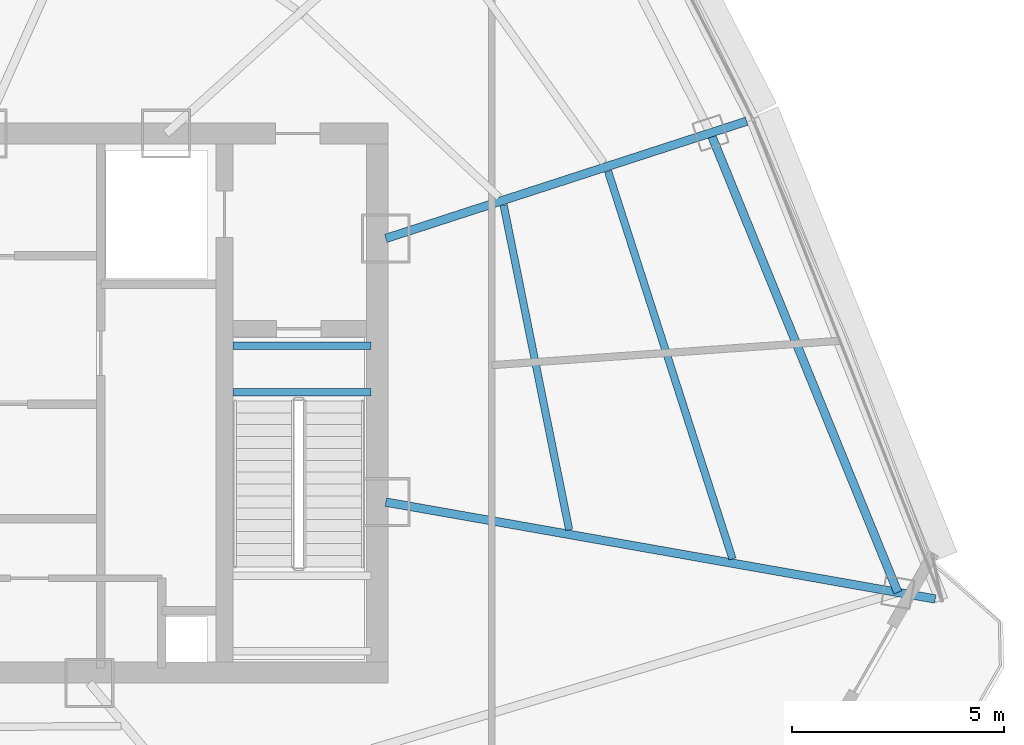
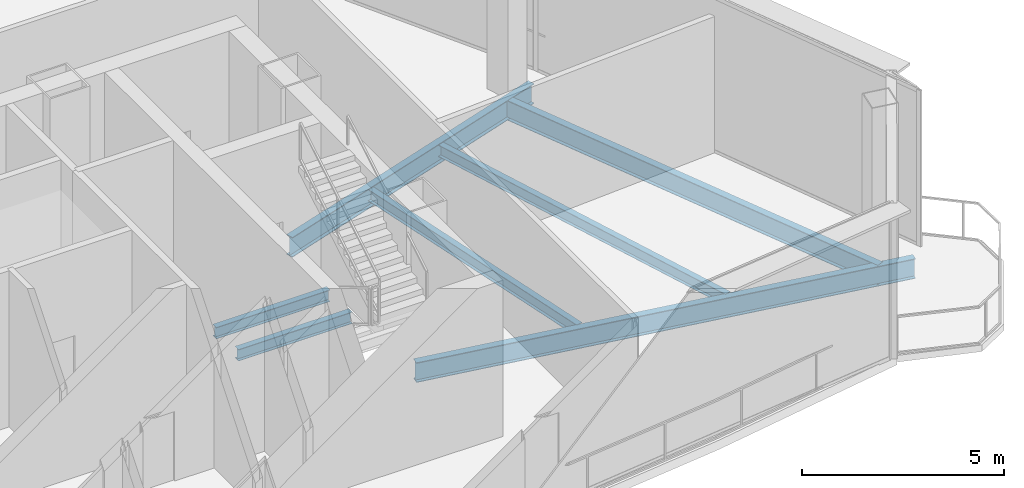
# One storey, part 13 of 29: 7 beams.
"""IFC4 building model written with IfcOpenShell, lengths in metres."""

import ifcopenshell
import ifcopenshell.guid

model = None  # the IFC model being written
_history = None  # IfcOwnerHistory: only IFC2X3 demands one
_inside = {}  # id of a spatial element -> (the spatial element, [elements in it])
_under = {}  # id of a project, library or spatial element -> (it, [spatial elements below it])
_declared = {}  # id of a project -> (the project, [libraries it declares])
_typed = {}  # id of a type object -> (the type object, [elements of that type])
_made_of = {}  # id of a material, layer set ... -> (it, [elements and type objects made of it])


def new_model(schema):
    """Start an empty IFC model of exactly this schema.

    Asked for "IFC4X3", IfcOpenShell would pick the latest addendum, in which some entities
    have other attributes; the version numbers below select the first issue.
    IFC2X3 requires an IfcOwnerHistory on every rooted entity: one is made here for all.
    """
    global model, _history
    if schema == "IFC4X3":
        model = ifcopenshell.file(schema_version=(4, 3, 0, 0))
    else:
        model = ifcopenshell.file(schema=schema)
    _inside.clear()
    _under.clear()
    _declared.clear()
    _typed.clear()
    _made_of.clear()
    _history = None
    if model.schema == "IFC2X3":
        org = make("IfcOrganization", Name="unknown")
        user = make(
            "IfcPersonAndOrganization",
            ThePerson=make("IfcPerson", FamilyName="unknown"),
            TheOrganization=org,
        )
        app = make(
            "IfcApplication",
            ApplicationDeveloper=org,
            Version="unknown",
            ApplicationFullName="unknown",
            ApplicationIdentifier="unknown",
        )
        _history = make(
            "IfcOwnerHistory",
            OwningUser=user,
            OwningApplication=app,
            ChangeAction="ADDED",
            CreationDate=0,
        )
    return model


def make(cls, **values):
    """One entity of the class cls with the attributes given. An attribute that is None is left unset."""
    return model.create_entity(
        cls, **{name: value for name, value in values.items() if value is not None}
    )


def rooted(cls, **values):
    """An entity with a GlobalId (a new one), such as an element, a storey or a relation."""
    return make(cls, GlobalId=ifcopenshell.guid.new(), OwnerHistory=_history, **values)


def si_unit(unit_type, name, prefix=None):
    """IfcSIUnit, for example si_unit("LENGTHUNIT", "METRE", prefix="MILLI")."""
    return make("IfcSIUnit", UnitType=unit_type, Prefix=prefix, Name=name)


def assignment(units):
    """IfcUnitAssignment: the units of a project."""
    return None if units is None else make("IfcUnitAssignment", Units=units)


def point(xyz):
    """IfcCartesianPoint."""
    return None if xyz is None else make("IfcCartesianPoint", Coordinates=xyz)


def direction(xyz):
    """IfcDirection."""
    return None if xyz is None else make("IfcDirection", DirectionRatios=xyz)


def frame(location, z_axis=None, x_axis=None):
    """IfcAxis2Placement3D, a coordinate frame: its origin and axes. An axis left out is left unset."""
    return make(
        "IfcAxis2Placement3D",
        Location=point(location),
        Axis=direction(z_axis),
        RefDirection=direction(x_axis),
    )


def frame_2d(location, x_axis=None):
    """IfcAxis2Placement2D, a coordinate frame in the plane: its origin and x axis."""
    return make(
        "IfcAxis2Placement2D", Location=point(location), RefDirection=direction(x_axis)
    )


def origin():
    """The frame at (0, 0, 0) with its axes left unset."""
    return frame((0.0, 0.0, 0.0))


def origin_2d():
    """The frame at (0, 0) in the plane with its x axis left unset."""
    return frame_2d((0.0, 0.0))


def place(relative_to, where):
    """IfcLocalPlacement: puts the frame where relative to a parent placement (None: the world)."""
    return make(
        "IfcLocalPlacement", PlacementRelTo=relative_to, RelativePlacement=where
    )


def context(
    kind, dimensions, precision=None, world=None, true_north=None, identifier=None
):
    """IfcGeometricRepresentationContext, for example the 3D "Model" context."""
    return make(
        "IfcGeometricRepresentationContext",
        ContextIdentifier=identifier,
        ContextType=kind,
        CoordinateSpaceDimension=dimensions,
        Precision=precision,
        WorldCoordinateSystem=world,
        TrueNorth=true_north,
    )


def subcontext(parent, identifier, kind, view, scale=None):
    """IfcGeometricRepresentationSubContext, for example "Body" below "Model"."""
    return make(
        "IfcGeometricRepresentationSubContext",
        ContextIdentifier=identifier,
        ContextType=kind,
        ParentContext=parent,
        TargetScale=scale,
        TargetView=view,
    )


def project(units=None, contexts=None):
    """IfcProject with its units and contexts."""
    return rooted(
        "IfcProject",
        Name="project",
        RepresentationContexts=contexts,
        UnitsInContext=assignment(units),
    )


def spatial(cls, under=None, at=None, **own):
    """A site, building, storey or space (cls), placed at a placement, below another one or the project."""
    s = rooted(cls, ObjectPlacement=at, **own)
    if under is not None:
        _under.setdefault(under.id(), (under, []))[1].append(s)
    return s


def profile(cls, at=None, kind="AREA", **sizes):
    """A parametric profile (cls). Its sizes go by their IFC names, for example OverallWidth=200.0."""
    return make(cls, ProfileType=kind, Position=at, **sizes)


def i_section(**sizes):
    """IfcIShapeProfileDef."""
    return profile("IfcIShapeProfileDef", **sizes)


def extrude(swept, where, along, depth):
    """IfcExtrudedAreaSolid: the profile swept, set in the frame where, extruded along a direction by depth."""
    return make(
        "IfcExtrudedAreaSolid",
        SweptArea=swept,
        Position=where,
        ExtrudedDirection=direction(along),
        Depth=depth,
    )


def shape(context_of_items, identifier, shape_type, items):
    """IfcShapeRepresentation: the items that make up one representation, for example the "Body"."""
    return make(
        "IfcShapeRepresentation",
        ContextOfItems=context_of_items,
        RepresentationIdentifier=identifier,
        RepresentationType=shape_type,
        Items=items,
    )


def source(mapping_origin, context_of_items, identifier, shape_type, items):
    """IfcRepresentationMap: a shape defined once, which mapped items show again and again."""
    return make(
        "IfcRepresentationMap",
        MappingOrigin=mapping_origin,
        MappedRepresentation=shape(context_of_items, identifier, shape_type, items),
    )


def transform(
    local_origin,
    x_axis=None,
    y_axis=None,
    z_axis=None,
    scale=None,
    scale2=None,
    scale3=None,
    uniform=True,
):
    """IfcCartesianTransformationOperator3D, or its non-uniform kind. x_axis, y_axis, z_axis: its Axis1, 2, 3."""
    if uniform:
        return make(
            "IfcCartesianTransformationOperator3D",
            Axis1=direction(x_axis),
            Axis2=direction(y_axis),
            LocalOrigin=point(local_origin),
            Scale=scale,
            Axis3=direction(z_axis),
        )
    return make(
        "IfcCartesianTransformationOperator3DnonUniform",
        Axis1=direction(x_axis),
        Axis2=direction(y_axis),
        LocalOrigin=point(local_origin),
        Scale=scale,
        Axis3=direction(z_axis),
        Scale2=scale2,
        Scale3=scale3,
    )


def mapped(mapping_source, mapping_target):
    """IfcMappedItem: shows the shape of a source again, moved by a transform."""
    return make(
        "IfcMappedItem", MappingSource=mapping_source, MappingTarget=mapping_target
    )


def material(Name=None, Category=None):
    """IfcMaterial."""
    return make("IfcMaterial", Name=Name, Category=Category)


def material_profile(
    of_material, cross_section, Name=None, Category=None, Priority=None
):
    """IfcMaterialProfile: a cross section and its material."""
    return make(
        "IfcMaterialProfile",
        Name=Name,
        Material=of_material,
        Profile=cross_section,
        Priority=Priority,
        Category=Category,
    )


def profile_set(profiles, Name=None, composite=None):
    """IfcMaterialProfileSet."""
    return make(
        "IfcMaterialProfileSet",
        Name=Name,
        MaterialProfiles=profiles,
        CompositeProfile=composite,
    )


def made_of(thing, what):
    """Note that an element or type object is made of a material, layer set ...; save() writes the relation."""
    if what is not None:
        _made_of.setdefault(what.id(), (what, []))[1].append(thing)
    return thing


def type_object(cls, material=None, **own):
    """A type object (cls), such as IfcWallType, which elements share."""
    return made_of(rooted(cls, **own), material)


def element(
    cls,
    number,
    at=None,
    inside=None,
    cuts=None,
    type_object=None,
    material=None,
    context=None,
    identifier="Body",
    shape_type=None,
    held_by="IfcProductDefinitionShape",
    body=None,
    shapes=None,
    **own,
):
    """One element of the class cls, such as IfcWall. Its Tag is "e" and its number.

    at: its placement. inside: the storey or other place that contains it. cuts: it is an
    opening in that element (IfcRelVoidsElement). A single representation is given by context,
    identifier, shape_type and body (its items); several are given by shapes. held_by: the class
    of the entity that holds the representations. save() writes the other relations.
    """
    e = rooted(cls, Tag="e%d" % number, ObjectPlacement=at, **own)
    if body is not None:
        shapes = [shape(context, identifier, shape_type, body)]
    if shapes is not None:
        e.Representation = make(held_by, Representations=shapes)
    if inside is not None:
        _inside.setdefault(inside.id(), (inside, []))[1].append(e)
    if cuts is not None:
        rooted(
            "IfcRelVoidsElement", RelatingBuildingElement=cuts, RelatedOpeningElement=e
        )
    if type_object is not None:
        _typed.setdefault(type_object.id(), (type_object, []))[1].append(e)
    return made_of(e, material)


def aggregate(whole, parts):
    """IfcRelAggregates: a whole, such as a stair, and the parts it consists of."""
    return rooted("IfcRelAggregates", RelatingObject=whole, RelatedObjects=parts)


def save(model, path):
    """Write the relations noted so far, then the file.

    IfcRelAggregates (storeys below a building ...), IfcRelContainedInSpatialStructure (elements
    in a storey), IfcRelDefinesByType, IfcRelAssociatesMaterial and IfcRelDeclares: one each for
    every whole, place, type object, material and project.
    """
    for whole, parts in _under.values():
        aggregate(whole, parts)
    for where, things in _inside.values():
        rooted(
            "IfcRelContainedInSpatialStructure",
            RelatedElements=things,
            RelatingStructure=where,
        )
    for kind, things in _typed.values():
        rooted("IfcRelDefinesByType", RelatedObjects=things, RelatingType=kind)
    for what, things in _made_of.values():
        rooted("IfcRelAssociatesMaterial", RelatedObjects=things, RelatingMaterial=what)
    for by, libraries in _declared.values():
        rooted("IfcRelDeclares", RelatingContext=by, RelatedDefinitions=libraries)
    model.write(path)


model = new_model("IFC4")

# Units and contexts
model_context = context("Model", 3, precision=1e-05, world=origin(), true_north=direction((0.0, 1.0)))
body_context = subcontext(model_context, "Body", "Model", "MODEL_VIEW")
ifc_project = project(units=[si_unit("LENGTHUNIT", "METRE"), si_unit("AREAUNIT", "SQUARE_METRE"), si_unit("VOLUMEUNIT", "CUBIC_METRE"), si_unit("PLANEANGLEUNIT", "RADIAN"), si_unit("MASSUNIT", "GRAM", prefix="KILO"), si_unit("THERMODYNAMICTEMPERATUREUNIT", "KELVIN"), si_unit("POWERUNIT", "WATT")], contexts=[model_context])

# Site, building, storey
site_placement = place(None, origin())
site = spatial("IfcSite", under=ifc_project, at=site_placement, CompositionType="ELEMENT")
building_placement = place(site_placement, origin())
building = spatial("IfcBuilding", under=site, at=building_placement, Name="Yunzhuo Pagoda Commons", CompositionType="ELEMENT")
storey_placement = place(building_placement, frame((0.0, 0.0, 366.760009765625)))
storey = spatial("IfcBuildingStorey", under=building, at=storey_placement, Name="L92", CompositionType="ELEMENT", Elevation=366.760009765625)

# Beams
ifc_material = material(Name="Structural steel Q355B", Category="steel")
ifc_material_profile_1 = material_profile(ifc_material, i_section(OverallWidth=0.175048828125, OverallDepth=0.35009765625, WebThickness=0.007080078125, FlangeThickness=0.010986328125, at=origin_2d()), Name="Structural steel Q355B")
ifc_profile_set_1 = profile_set([ifc_material_profile_1], Name="Structural steel Q355B")
beam_type_1 = type_object("IfcBeamType", Name="B-JS2 Joist HN 350x175x7x11", PredefinedType="JOIST", material=ifc_profile_set_1)
shared_shape_1 = source(origin(), body_context, "Body", "SweptSolid", [
    extrude(i_section(OverallWidth=0.175048828125, OverallDepth=0.35009765625, WebThickness=0.007080078125, FlangeThickness=0.010986328125, at=origin_2d()), origin(), (0.0, 0.0, 1.0), 3.25),
])
for number, where, z_axis, x_axis, name in (
    (1, (56.800048828125, 34.10009765625, -0.375), (1.0, 0.0, 0.0), (0.0, 1.0, 0.0), "L92 ST2 landing support beam 196A"),
    (2, (56.800048828125, 35.199951171875, -0.375), (1.0, 0.0, 0.0), (0.0, 1.0, 0.0), "L92 ST2 landing support beam 196B"),
):
    element("IfcBeam", number, at=place(storey_placement, frame(where, z_axis=z_axis, x_axis=x_axis)), inside=storey, type_object=beam_type_1, Name=name, PredefinedType="JOIST", context=body_context, shape_type="MappedRepresentation", body=[
        mapped(shared_shape_1, transform((0.0, 0.0, 0.0), scale=1.0)),
    ])
ifc_material_profile_2 = material_profile(ifc_material, i_section(OverallWidth=0.199951171875, OverallDepth=0.60009765625, WebThickness=0.010986328125, FlangeThickness=0.01708984375, at=origin_2d()), Name="Structural steel Q355B")
ifc_profile_set_2 = profile_set([ifc_material_profile_2], Name="Structural steel Q355B")
beam_type_2 = type_object("IfcBeamType", Name="B-RG3 Beam HN 600x200x11x17", PredefinedType="BEAM", material=ifc_profile_set_2)
shared_shape_2 = source(origin(), body_context, "Body", "SweptSolid", [
    extrude(i_section(OverallWidth=0.199951171875, OverallDepth=0.60009765625, WebThickness=0.010986328125, FlangeThickness=0.01708984375, at=origin_2d()), origin(), (0.0, 0.0, 1.0), 11.696533203125),
])
beam_1_placement = place(storey_placement, frame((72.47021484375, 29.38525390625, -0.580078125), z_axis=(-0.377611800863, 0.925963999219, 0.0), x_axis=(-0.925963999219, -0.377611800863, 0.0)))
element("IfcBeam", 3, at=beam_1_placement, inside=storey, type_object=beam_type_2, Name="L92 column-ring beam 5", PredefinedType="BEAM", context=body_context, shape_type="MappedRepresentation", body=[
    mapped(shared_shape_2, transform((0.0, 0.0, 0.0), scale=1.0)),
])
shared_shape_3 = source(origin(), body_context, "Body", "SweptSolid", [
    extrude(i_section(OverallWidth=0.175048828125, OverallDepth=0.35009765625, WebThickness=0.007080078125, FlangeThickness=0.010986328125, at=origin_2d()), origin(), (0.0, 0.0, 1.0), 7.8056640625),
])
beam_2_placement = place(storey_placement, frame((64.722412109375, 30.860107421875, -0.455078125), z_axis=(-0.197830082137, 0.980236327934, 0.0), x_axis=(-0.980236327934, -0.197830082137, 0.0)))
element("IfcBeam", 4, at=beam_2_placement, inside=storey, type_object=beam_type_1, Name="L92 composite ring joist 1.5", PredefinedType="JOIST", context=body_context, shape_type="MappedRepresentation", body=[
    mapped(shared_shape_3, transform((0.0, 0.0, 0.0), scale=1.0)),
])
shared_shape_4 = source(origin(), body_context, "Body", "SweptSolid", [
    extrude(i_section(OverallWidth=0.175048828125, OverallDepth=0.35009765625, WebThickness=0.007080078125, FlangeThickness=0.010986328125, at=origin_2d()), origin(), (0.0, 0.0, 1.0), 9.593994140625),
])
beam_3_placement = place(storey_placement, frame((68.572509765625, 30.17578125, -0.455078125), z_axis=(-0.305719218499, 0.952121714614, 0.0), x_axis=(-0.952121714614, -0.305719218499, 0.0)))
element("IfcBeam", 5, at=beam_3_placement, inside=storey, type_object=beam_type_1, Name="L92 composite ring joist 2.5", PredefinedType="JOIST", context=body_context, shape_type="MappedRepresentation", body=[
    mapped(shared_shape_4, transform((0.0, 0.0, 0.0), scale=1.0)),
])
shared_shape_5 = source(origin(), body_context, "Body", "SweptSolid", [
    extrude(i_section(OverallWidth=0.199951171875, OverallDepth=0.60009765625, WebThickness=0.010986328125, FlangeThickness=0.01708984375, at=origin_2d()), origin(), (0.0, 0.0, 1.0), 13.151611328125),
])
beam_4_placement = place(storey_placement, frame((73.351806640625, 29.229736328125, -0.580078125), z_axis=(-0.98480877727, 0.173642368713, 0.0), x_axis=(-0.173642368713, -0.98480877727, 0.0)))
element("IfcBeam", 6, at=beam_4_placement, inside=storey, type_object=beam_type_2, Name="L92 radial floor girder F2C1", PredefinedType="BEAM", context=body_context, shape_type="MappedRepresentation", body=[
    mapped(shared_shape_5, transform((0.0, 0.0, 0.0), scale=1.0)),
])
shared_shape_6 = source(origin(), body_context, "Body", "SweptSolid", [
    extrude(i_section(OverallWidth=0.199951171875, OverallDepth=0.60009765625, WebThickness=0.010986328125, FlangeThickness=0.01708984375, at=origin_2d()), origin(), (0.0, 0.0, 1.0), 8.942626953125),
])
beam_5_placement = place(storey_placement, frame((68.90478515625, 40.492431640625, -0.580078125), z_axis=(-0.951055734301, -0.309019401095, 0.0), x_axis=(0.309019401095, -0.951055734301, 0.0)))
element("IfcBeam", 7, at=beam_5_placement, inside=storey, type_object=beam_type_2, Name="L92 radial floor girder F2C2", PredefinedType="BEAM", context=body_context, shape_type="MappedRepresentation", body=[
    mapped(shared_shape_6, transform((0.0, 0.0, 0.0), scale=1.0)),
])

save(model, "model.ifc")
